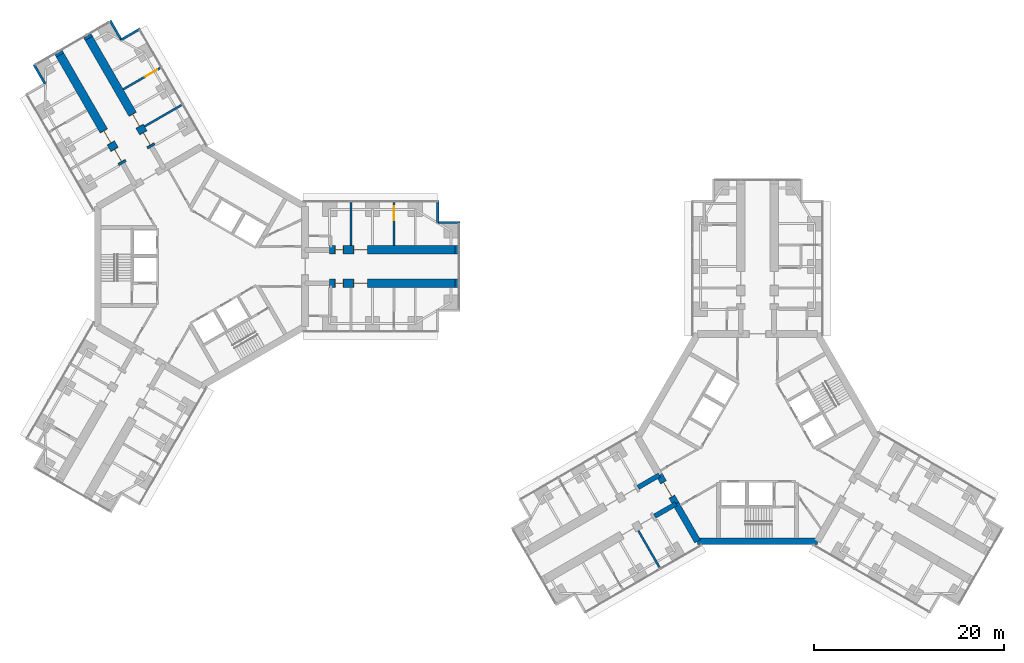
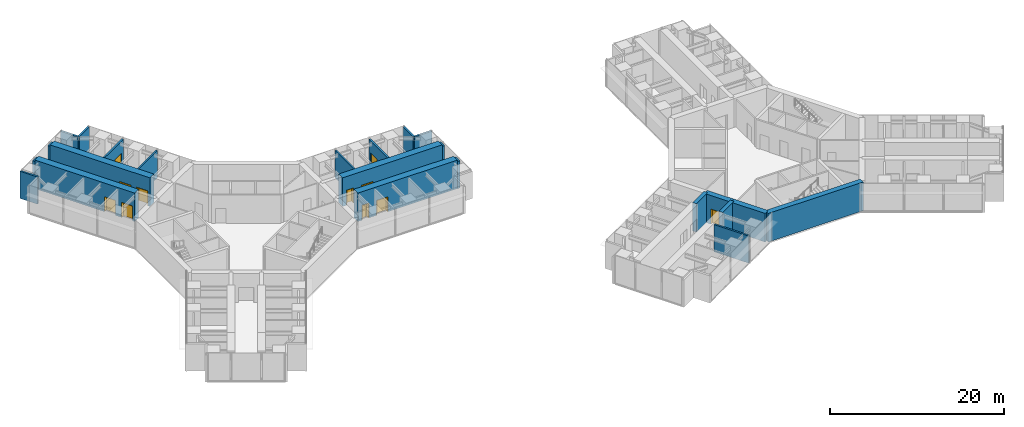
# One storey, part 18 of 22: 23 walls, 11 doors, 11 openings.
"""IFC4 building model written with IfcOpenShell, lengths in metres."""

from ifc_helpers import new_model, si_unit, direction, frame, frame_2d, origin, place, context, subcontext, project, spatial, rectangle, extrude, material, layer, layer_set, type_object, element, fill, save


model = new_model("IFC4")

# Units and contexts
model_context = context("Model", 3, precision=1e-05, world=origin(), true_north=direction((0.0, 1.0)))
body_context = subcontext(model_context, "Body", "Model", "MODEL_VIEW")
ifc_project = project(units=[si_unit("LENGTHUNIT", "METRE"), si_unit("AREAUNIT", "SQUARE_METRE"), si_unit("VOLUMEUNIT", "CUBIC_METRE"), si_unit("PLANEANGLEUNIT", "RADIAN"), si_unit("MASSUNIT", "GRAM", prefix="KILO")], contexts=[model_context])

# Site, building, storey
site_placement = place(None, origin())
site = spatial("IfcSite", under=ifc_project, at=site_placement, CompositionType="ELEMENT")
building_placement = place(site_placement, origin())
building = spatial("IfcBuilding", under=site, at=building_placement, Name="Upepo Twin Towers", CompositionType="ELEMENT")
storey_placement = place(building_placement, frame((0.0, 0.0, 36.5)))
storey = spatial("IfcBuildingStorey", under=building, at=storey_placement, Name="L08", CompositionType="ELEMENT", Elevation=36.5)

# Wall
ifc_material_1 = material(Name="Concrete blockwork, plastered both faces", Category="masonry")
ifc_layer_1 = layer(ifc_material_1, 0.215087890625)
ifc_layer_set_1 = layer_set([ifc_layer_1], Name="Blockwork partition 215")
wall_type_1 = type_object("IfcWallType", Name="Blockwork partition 215", PredefinedType="PARTITIONING", material=ifc_layer_set_1)
wall_1_placement = place(storey_placement, frame((15.75, 2.199951171875, 0.0), z_axis=(0.0, 0.0, 1.0), x_axis=(0.0, 1.0, 0.0)))
element("IfcWall", 1, at=wall_1_placement, inside=storey, type_object=wall_type_1, Name="T1 partition AL at 15.75", PredefinedType="PARTITIONING", context=body_context, shape_type="SweptSolid", body=[
    extrude(rectangle(XDim=4.550048828125, YDim=0.215087890625, at=frame_2d((2.27490234375, 0.0))), origin(), (0.0, 0.0, 1.0), 3.800048828125),
])

# Wall, opening, door
wall_2_placement = place(storey_placement, frame((20.25, 2.199951171875, 0.0), z_axis=(0.0, 0.0, 1.0), x_axis=(0.0, 1.0, 0.0)))
wall_2 = element("IfcWall", 2, at=wall_2_placement, inside=storey, type_object=wall_type_1, Name="T1 partition AL at 20.25", PredefinedType="PARTITIONING", context=body_context, shape_type="SweptSolid", body=[
    extrude(rectangle(XDim=4.550048828125, YDim=0.215087890625, at=frame_2d((2.27490234375, 0.0))), origin(), (0.0, 0.0, 1.0), 3.800048828125),
])
opening_1_placement = place(wall_2_placement, frame((2.64990234375, 0.0, 0.0)))
opening_1 = element("IfcOpeningElement", 3, at=opening_1_placement, cuts=wall_2, Name="Opening D13", PredefinedType="OPENING", context=body_context, shape_type="SweptSolid", body=[
    extrude(rectangle(XDim=1.5, YDim=2.10009765625, at=frame_2d((0.75, 1.050048828125))), frame((0.0, 0.117431640625, 0.0), z_axis=(0.0, -1.0, 0.0), x_axis=(1.0, 0.0, 0.0)), (0.0, 0.0, 1.0), 0.235107421875),
])
ifc_material_2 = material(Name="Timber doorset", Category="wood")
door_type_1 = type_object("IfcDoorType", Name="Double door 1500 FD30", OperationType="DOUBLE_DOOR_SINGLE_SWING", PredefinedType="DOOR", material=ifc_material_2)
door_1_placement = place(opening_1_placement, origin())
door_1 = element("IfcDoor", 4, at=door_1_placement, inside=storey, type_object=door_type_1, Name="T1 L08 connecting door", OperationType="DOUBLE_DOOR_SINGLE_SWING", OverallHeight=2.10009765625, OverallWidth=1.5, PredefinedType="DOOR", context=body_context, shape_type="SweptSolid", body=[
    extrude(rectangle(XDim=1.5, YDim=2.10009765625, at=frame_2d((0.75, 1.050048828125))), frame((0.0, 0.02490234375, 0.0), z_axis=(0.0, -1.0, 0.0), x_axis=(1.0, 0.0, 0.0)), (0.0, 0.0, 1.0), 0.050048828125),
])
fill(opening_1, door_1)

# Wall
wall_3_placement = place(storey_placement, frame((-5.9697265625, 14.739990234375, 0.0), z_axis=(0.0, 0.0, 1.0), x_axis=(0.866035472144, 0.499982560684, 0.0)))
element("IfcWall", 5, at=wall_3_placement, inside=storey, type_object=wall_type_1, Name="T1 partition BR at 15.75", PredefinedType="PARTITIONING", context=body_context, shape_type="SweptSolid", body=[
    extrude(rectangle(XDim=4.550048828125, YDim=0.215087890625, at=frame_2d((2.27490234375, 0.0))), origin(), (0.0, 0.0, 1.0), 3.800048828125),
])

# Wall, opening, door
wall_4_placement = place(storey_placement, frame((-8.2197265625, 18.636962890625, 0.0), z_axis=(0.0, 0.0, 1.0), x_axis=(0.866012237902, 0.500022803284, 0.0)))
wall_4 = element("IfcWall", 6, at=wall_4_placement, inside=storey, type_object=wall_type_1, Name="T1 partition BR at 20.25", PredefinedType="PARTITIONING", context=body_context, shape_type="SweptSolid", body=[
    extrude(rectangle(XDim=4.550048828125, YDim=0.215087890625, at=frame_2d((2.27490234375, 0.0))), origin(), (0.0, 0.0, 1.0), 3.800048828125),
])
opening_2_placement = place(wall_4_placement, frame((2.64990234375, 0.0, 0.0)))
opening_2 = element("IfcOpeningElement", 7, at=opening_2_placement, cuts=wall_4, Name="Opening D13", PredefinedType="OPENING", context=body_context, shape_type="SweptSolid", body=[
    extrude(rectangle(XDim=1.5, YDim=2.10009765625, at=frame_2d((0.75, 1.050048828125))), frame((0.0, 0.117431640625, 0.0), z_axis=(0.0, -1.0, 0.0), x_axis=(1.0, 0.0, 0.0)), (0.0, 0.0, 1.0), 0.235107421875),
])
door_2_placement = place(opening_2_placement, origin())
door_2 = element("IfcDoor", 8, at=door_2_placement, inside=storey, type_object=door_type_1, Name="T1 L08 connecting door", OperationType="DOUBLE_DOOR_SINGLE_SWING", OverallHeight=2.10009765625, OverallWidth=1.5, PredefinedType="DOOR", context=body_context, shape_type="SweptSolid", body=[
    extrude(rectangle(XDim=1.5, YDim=2.10009765625, at=frame_2d((0.75, 1.050048828125))), frame((0.0, 0.02490234375, 0.0), z_axis=(0.0, -1.0, 0.0), x_axis=(1.0, 0.0, 0.0)), (0.0, 0.0, 1.0), 0.050048828125),
])
fill(opening_2, door_2)

# Walls
wall_5_placement = place(storey_placement, frame((45.960205078125, -27.7802734375, 0.0), z_axis=(0.0, 0.0, 1.0), x_axis=(0.499982560684, -0.866035472144, 0.0)))
element("IfcWall", 9, at=wall_5_placement, inside=storey, type_object=wall_type_1, Name="T2 partition BL at 15.75", PredefinedType="PARTITIONING", context=body_context, shape_type="SweptSolid", body=[
    extrude(rectangle(XDim=4.550048828125, YDim=0.215087890625, at=frame_2d((2.27490234375, 0.0))), origin(), (0.0, 0.0, 1.0), 3.800048828125),
])
ifc_material_3 = material(Name="Dense concrete blockwork", Category="masonry")
ifc_layer_2 = layer(ifc_material_3, 0.89990234375)
ifc_layer_set_2 = layer_set([ifc_layer_2], Name="Buttress closer 900, blockwork with fire-stopping to the curtain wall")
wall_type_2 = type_object("IfcWallType", Name="Buttress closer 900, blockwork with fire-stopping to the curtain wall", PredefinedType="PARTITIONING", material=ifc_layer_set_2)
for number, where, z_axis, x_axis, name in (
    (10, (26.699951171875, 1.75, 0.0), (0.0, 0.0, 1.0), (1.0, 0.0, 0.0), "T1 L08 wing A buttress closer L"),
    (11, (26.699951171875, -1.75, 0.0), (0.0, 0.0, 1.0), (1.0, 0.0, 0.0), "T1 L08 wing A buttress closer R"),
    (12, (-14.865478515625, 22.247802734375, 0.0), (0.0, 0.0, 1.0), (-0.499949632511, 0.866054481515, 0.0), "T1 L08 wing B buttress closer L"),
    (13, (-11.83447265625, 23.997802734375, 0.0), (0.0, 0.0, 1.0), (-0.499949632511, 0.866054481515, 0.0), "T1 L08 wing B buttress closer R"),
):
    element("IfcWall", number, at=place(storey_placement, frame(where, z_axis=z_axis, x_axis=x_axis)), inside=storey, type_object=wall_type_2, Name=name, PredefinedType="PARTITIONING", context=body_context, shape_type="SweptSolid", body=[
        extrude(rectangle(XDim=0.31005859375, YDim=0.89990234375, at=frame_2d((0.155029296875, 0.0))), origin(), (0.0, 0.0, 1.0), 3.800048828125),
    ])
ifc_material_4 = material(Name="Concrete C60/75", Category="concrete")
ifc_layer_3 = layer(ifc_material_4, 0.5)
ifc_layer_set_3 = layer_set([ifc_layer_3], Name="Concrete C60/75")
wall_type_3 = type_object("IfcWallType", Name="Buttress wall 500 RC", PredefinedType="SHEAR", material=ifc_layer_set_3)
for number, where, z_axis, x_axis, name in (
    (14, (49.92822265625, -24.9697265625, 0.0), (0.0, 0.0, 1.0), (-0.866031863473, -0.499988811324, 0.0), "T2 wing B buttress wall L"),
    (15, (48.17822265625, -21.938720703125, 0.0), (0.0, 0.0, 1.0), (-0.866072649678, -0.499918158782, 0.0), "T2 wing B buttress wall R"),
):
    element("IfcWall", number, at=place(storey_placement, frame(where, z_axis=z_axis, x_axis=x_axis)), inside=storey, type_object=wall_type_3, Name=name, PredefinedType="SHEAR", context=body_context, shape_type="SweptSolid", body=[
        extrude(rectangle(XDim=2.591796875, YDim=0.5, at=frame_2d((1.2958984375, 0.0))), origin(), (0.0, 0.0, 1.0), 4.0),
    ])

# Wall, openings, doors
ifc_material_5 = material(Name="Concrete C60/75", Category="concrete")
ifc_layer_4 = layer(ifc_material_5, 0.89990234375)
ifc_layer_set_4 = layer_set([ifc_layer_4], Name="Concrete C60/75")
wall_type_4 = type_object("IfcWallType", Name="Buttress wall 900 RC", PredefinedType="SHEAR", material=ifc_layer_set_4)
wall_6_placement = place(storey_placement, frame((13.5, 1.75, 0.0), z_axis=(0.0, 0.0, 1.0), x_axis=(1.0, 0.0, 0.0)))
wall_6 = element("IfcWall", 16, at=wall_6_placement, inside=storey, type_object=wall_type_4, Name="T1 wing A buttress wall L part 2", PredefinedType="SHEAR", context=body_context, shape_type="SweptSolid", body=[
    extrude(rectangle(XDim=13.199951171875, YDim=0.89990234375, at=frame_2d((6.60009765625, 0.0))), origin(), (0.0, 0.0, 1.0), 4.0),
])
opening_3_placement = place(wall_6_placement, frame((0.550048828125, 0.0, 0.0)))
opening_3 = element("IfcOpeningElement", 17, at=opening_3_placement, cuts=wall_6, Name="Opening D11", PredefinedType="OPENING", context=body_context, shape_type="SweptSolid", body=[
    extrude(rectangle(XDim=0.89990234375, YDim=2.10009765625, at=frame_2d((0.449951171875, 1.050048828125))), frame((0.0, 0.4599609375, 0.0), z_axis=(0.0, -1.0, 0.0), x_axis=(1.0, 0.0, 0.0)), (0.0, 0.0, 1.0), 0.919921875),
])
opening_4_placement = place(wall_6_placement, frame((2.5, 0.0, 0.0)))
opening_4 = element("IfcOpeningElement", 18, at=opening_4_placement, cuts=wall_6, Name="Opening D13", PredefinedType="OPENING", context=body_context, shape_type="SweptSolid", body=[
    extrude(rectangle(XDim=1.5, YDim=2.10009765625, at=frame_2d((0.75, 1.050048828125))), frame((0.0, 0.4599609375, 0.0), z_axis=(0.0, -1.0, 0.0), x_axis=(1.0, 0.0, 0.0)), (0.0, 0.0, 1.0), 0.919921875),
])
door_3_placement = place(opening_4_placement, origin())
door_3 = element("IfcDoor", 19, at=door_3_placement, inside=storey, type_object=door_type_1, Name="T1 L08 instrument room door", OperationType="DOUBLE_DOOR_SINGLE_SWING", OverallHeight=2.10009765625, OverallWidth=1.5, PredefinedType="DOOR", context=body_context, shape_type="SweptSolid", body=[
    extrude(rectangle(XDim=1.42, YDim=2.06009765625, at=frame_2d((0.75, 1.030029296875))), frame((0.0, 0.02490234375, 0.0), z_axis=(0.0, -1.0, 0.0), x_axis=(1.0, 0.0, 0.0)), (0.0, 0.0, 1.0), 0.050048828125),
    extrude(rectangle(XDim=0.04, YDim=2.10009765625, at=frame_2d((0.02001953125, 1.050048828125))), frame((0.0, 0.44970703125, 0.0), z_axis=(0.0, -1.0, 0.0), x_axis=(1.0, 0.0, 0.0)), (0.0, 0.0, 1.0), 0.8994140625),
    extrude(rectangle(XDim=0.04, YDim=2.10009765625, at=frame_2d((1.47998046875, 1.050048828125))), frame((0.0, 0.44970703125, 0.0), z_axis=(0.0, -1.0, 0.0), x_axis=(1.0, 0.0, 0.0)), (0.0, 0.0, 1.0), 0.8994140625),
    extrude(rectangle(XDim=1.42, YDim=0.04, at=frame_2d((0.75, 2.080078125))), frame((0.0, 0.44970703125, 0.0), z_axis=(0.0, -1.0, 0.0), x_axis=(1.0, 0.0, 0.0)), (0.0, 0.0, 1.0), 0.8994140625),
])
fill(opening_4, door_3)
ifc_material_6 = material(Name="Timber doorset", Category="wood")
door_type_2 = type_object("IfcDoorType", Name="Toilet door 900", OperationType="SINGLE_SWING_LEFT", PredefinedType="DOOR", material=ifc_material_6)
door_4_placement = place(opening_3_placement, origin())
door_4 = element("IfcDoor", 20, at=door_4_placement, inside=storey, type_object=door_type_2, Name="T1 L08 toilets door", OperationType="SINGLE_SWING_LEFT", OverallHeight=2.10009765625, OverallWidth=0.89990234375, PredefinedType="DOOR", context=body_context, shape_type="SweptSolid", body=[
    extrude(rectangle(XDim=0.81990234375, YDim=2.06009765625, at=frame_2d((0.449951171875, 1.030029296875))), frame((0.0, 0.02490234375, 0.0), z_axis=(0.0, -1.0, 0.0), x_axis=(1.0, 0.0, 0.0)), (0.0, 0.0, 1.0), 0.050048828125),
    extrude(rectangle(XDim=0.04, YDim=2.10009765625, at=frame_2d((0.02001953125, 1.050048828125))), frame((0.0, 0.44970703125, 0.0), z_axis=(0.0, -1.0, 0.0), x_axis=(1.0, 0.0, 0.0)), (0.0, 0.0, 1.0), 0.8994140625),
    extrude(rectangle(XDim=0.04, YDim=2.10009765625, at=frame_2d((0.8798828125, 1.050048828125))), frame((0.0, 0.44970703125, 0.0), z_axis=(0.0, -1.0, 0.0), x_axis=(1.0, 0.0, 0.0)), (0.0, 0.0, 1.0), 0.8994140625),
    extrude(rectangle(XDim=0.81990234375, YDim=0.04, at=frame_2d((0.449951171875, 2.080078125))), frame((0.0, 0.44970703125, 0.0), z_axis=(0.0, -1.0, 0.0), x_axis=(1.0, 0.0, 0.0)), (0.0, 0.0, 1.0), 0.8994140625),
])
fill(opening_3, door_4)

wall_7_placement = place(storey_placement, frame((13.5, -1.75, 0.0), z_axis=(0.0, 0.0, 1.0), x_axis=(1.0, 0.0, 0.0)))
wall_7 = element("IfcWall", 21, at=wall_7_placement, inside=storey, type_object=wall_type_4, Name="T1 wing A buttress wall R part 2", PredefinedType="SHEAR", context=body_context, shape_type="SweptSolid", body=[
    extrude(rectangle(XDim=13.199951171875, YDim=0.89990234375, at=frame_2d((6.60009765625, 0.0))), origin(), (0.0, 0.0, 1.0), 4.0),
])
opening_5_placement = place(wall_7_placement, frame((0.550048828125, 0.0, 0.0)))
opening_5 = element("IfcOpeningElement", 22, at=opening_5_placement, cuts=wall_7, Name="Opening D11", PredefinedType="OPENING", context=body_context, shape_type="SweptSolid", body=[
    extrude(rectangle(XDim=0.89990234375, YDim=2.10009765625, at=frame_2d((0.449951171875, 1.050048828125))), frame((0.0, 0.4599609375, 0.0), z_axis=(0.0, -1.0, 0.0), x_axis=(1.0, 0.0, 0.0)), (0.0, 0.0, 1.0), 0.919921875),
])
opening_6_placement = place(wall_7_placement, frame((2.5, 0.0, 0.0)))
opening_6 = element("IfcOpeningElement", 23, at=opening_6_placement, cuts=wall_7, Name="Opening D13", PredefinedType="OPENING", context=body_context, shape_type="SweptSolid", body=[
    extrude(rectangle(XDim=1.5, YDim=2.10009765625, at=frame_2d((0.75, 1.050048828125))), frame((0.0, 0.4599609375, 0.0), z_axis=(0.0, -1.0, 0.0), x_axis=(1.0, 0.0, 0.0)), (0.0, 0.0, 1.0), 0.919921875),
])
door_5_placement = place(opening_6_placement, origin())
door_5 = element("IfcDoor", 24, at=door_5_placement, inside=storey, type_object=door_type_1, Name="T1 L08 laboratory prep room door", OperationType="DOUBLE_DOOR_SINGLE_SWING", OverallHeight=2.10009765625, OverallWidth=1.5, PredefinedType="DOOR", context=body_context, shape_type="SweptSolid", body=[
    extrude(rectangle(XDim=1.42, YDim=2.06009765625, at=frame_2d((0.75, 1.030029296875))), frame((0.0, 0.02490234375, 0.0), z_axis=(0.0, -1.0, 0.0), x_axis=(1.0, 0.0, 0.0)), (0.0, 0.0, 1.0), 0.050048828125),
    extrude(rectangle(XDim=0.04, YDim=2.10009765625, at=frame_2d((0.02001953125, 1.050048828125))), frame((0.0, 0.44970703125, 0.0), z_axis=(0.0, -1.0, 0.0), x_axis=(1.0, 0.0, 0.0)), (0.0, 0.0, 1.0), 0.8994140625),
    extrude(rectangle(XDim=0.04, YDim=2.10009765625, at=frame_2d((1.47998046875, 1.050048828125))), frame((0.0, 0.44970703125, 0.0), z_axis=(0.0, -1.0, 0.0), x_axis=(1.0, 0.0, 0.0)), (0.0, 0.0, 1.0), 0.8994140625),
    extrude(rectangle(XDim=1.42, YDim=0.04, at=frame_2d((0.75, 2.080078125))), frame((0.0, 0.44970703125, 0.0), z_axis=(0.0, -1.0, 0.0), x_axis=(1.0, 0.0, 0.0)), (0.0, 0.0, 1.0), 0.8994140625),
])
fill(opening_6, door_5)
door_6_placement = place(opening_5_placement, origin())
door_6 = element("IfcDoor", 25, at=door_6_placement, inside=storey, type_object=door_type_2, Name="T1 L08 accessible wc door", OperationType="SINGLE_SWING_LEFT", OverallHeight=2.10009765625, OverallWidth=0.89990234375, PredefinedType="DOOR", context=body_context, shape_type="SweptSolid", body=[
    extrude(rectangle(XDim=0.81990234375, YDim=2.06009765625, at=frame_2d((0.449951171875, 1.030029296875))), frame((0.0, 0.02490234375, 0.0), z_axis=(0.0, -1.0, 0.0), x_axis=(1.0, 0.0, 0.0)), (0.0, 0.0, 1.0), 0.050048828125),
    extrude(rectangle(XDim=0.04, YDim=2.10009765625, at=frame_2d((0.02001953125, 1.050048828125))), frame((0.0, 0.44970703125, 0.0), z_axis=(0.0, -1.0, 0.0), x_axis=(1.0, 0.0, 0.0)), (0.0, 0.0, 1.0), 0.8994140625),
    extrude(rectangle(XDim=0.04, YDim=2.10009765625, at=frame_2d((0.8798828125, 1.050048828125))), frame((0.0, 0.44970703125, 0.0), z_axis=(0.0, -1.0, 0.0), x_axis=(1.0, 0.0, 0.0)), (0.0, 0.0, 1.0), 0.8994140625),
    extrude(rectangle(XDim=0.81990234375, YDim=0.04, at=frame_2d((0.449951171875, 2.080078125))), frame((0.0, 0.44970703125, 0.0), z_axis=(0.0, -1.0, 0.0), x_axis=(1.0, 0.0, 0.0)), (0.0, 0.0, 1.0), 0.8994140625),
])
fill(opening_5, door_6)

wall_8_placement = place(storey_placement, frame((-8.265625, 10.81640625, 0.0), z_axis=(0.0, 0.0, 1.0), x_axis=(-0.499996231654, 0.866027579429, 0.0)))
wall_8 = element("IfcWall", 26, at=wall_8_placement, inside=storey, type_object=wall_type_4, Name="T1 wing B buttress wall L part 2", PredefinedType="SHEAR", context=body_context, shape_type="SweptSolid", body=[
    extrude(rectangle(XDim=13.19970703125, YDim=0.89990234375, at=frame_2d((6.599853515625, 0.0))), origin(), (0.0, 0.0, 1.0), 4.0),
])
opening_7_placement = place(wall_8_placement, frame((0.25, 0.0, 0.0)))
opening_7 = element("IfcOpeningElement", 27, at=opening_7_placement, cuts=wall_8, Name="Opening D13", PredefinedType="OPENING", context=body_context, shape_type="SweptSolid", body=[
    extrude(rectangle(XDim=1.5, YDim=2.10009765625, at=frame_2d((0.75, 1.050048828125))), frame((0.0, 0.4599609375, 0.0), z_axis=(0.0, -1.0, 0.0), x_axis=(1.0, 0.0, 0.0)), (0.0, 0.0, 1.0), 0.919921875),
])
opening_8_placement = place(wall_8_placement, frame((2.5, 0.0, 0.0)))
opening_8 = element("IfcOpeningElement", 28, at=opening_8_placement, cuts=wall_8, Name="Opening D13", PredefinedType="OPENING", context=body_context, shape_type="SweptSolid", body=[
    extrude(rectangle(XDim=1.5, YDim=2.10009765625, at=frame_2d((0.75, 1.050048828125))), frame((0.0, 0.4599609375, 0.0), z_axis=(0.0, -1.0, 0.0), x_axis=(1.0, 0.0, 0.0)), (0.0, 0.0, 1.0), 0.919921875),
])
door_7_placement = place(opening_7_placement, origin())
door_7 = element("IfcDoor", 29, at=door_7_placement, inside=storey, type_object=door_type_1, Name="T1 L08 instrument room door", OperationType="DOUBLE_DOOR_SINGLE_SWING", OverallHeight=2.10009765625, OverallWidth=1.5, PredefinedType="DOOR", context=body_context, shape_type="SweptSolid", body=[
    extrude(rectangle(XDim=1.42, YDim=2.06009765625, at=frame_2d((0.75, 1.030029296875))), frame((0.0, 0.02490234375, 0.0), z_axis=(0.0, -1.0, 0.0), x_axis=(1.0, 0.0, 0.0)), (0.0, 0.0, 1.0), 0.050048828125),
    extrude(rectangle(XDim=0.04, YDim=2.10009765625, at=frame_2d((0.02001953125, 1.050048828125))), frame((0.0, 0.44970703125, 0.0), z_axis=(0.0, -1.0, 0.0), x_axis=(1.0, 0.0, 0.0)), (0.0, 0.0, 1.0), 0.8994140625),
    extrude(rectangle(XDim=0.04, YDim=2.10009765625, at=frame_2d((1.47998046875, 1.050048828125))), frame((0.0, 0.44970703125, 0.0), z_axis=(0.0, -1.0, 0.0), x_axis=(1.0, 0.0, 0.0)), (0.0, 0.0, 1.0), 0.8994140625),
    extrude(rectangle(XDim=1.42, YDim=0.04, at=frame_2d((0.75, 2.080078125))), frame((0.0, 0.44970703125, 0.0), z_axis=(0.0, -1.0, 0.0), x_axis=(1.0, 0.0, 0.0)), (0.0, 0.0, 1.0), 0.8994140625),
])
fill(opening_7, door_7)
door_8_placement = place(opening_8_placement, origin())
door_8 = element("IfcDoor", 30, at=door_8_placement, inside=storey, type_object=door_type_1, Name="T1 L08 write-up room door", OperationType="DOUBLE_DOOR_SINGLE_SWING", OverallHeight=2.10009765625, OverallWidth=1.5, PredefinedType="DOOR", context=body_context, shape_type="SweptSolid", body=[
    extrude(rectangle(XDim=1.42, YDim=2.06009765625, at=frame_2d((0.75, 1.030029296875))), frame((0.0, 0.02490234375, 0.0), z_axis=(0.0, -1.0, 0.0), x_axis=(1.0, 0.0, 0.0)), (0.0, 0.0, 1.0), 0.050048828125),
    extrude(rectangle(XDim=0.04, YDim=2.10009765625, at=frame_2d((0.02001953125, 1.050048828125))), frame((0.0, 0.44970703125, 0.0), z_axis=(0.0, -1.0, 0.0), x_axis=(1.0, 0.0, 0.0)), (0.0, 0.0, 1.0), 0.8994140625),
    extrude(rectangle(XDim=0.04, YDim=2.10009765625, at=frame_2d((1.47998046875, 1.050048828125))), frame((0.0, 0.44970703125, 0.0), z_axis=(0.0, -1.0, 0.0), x_axis=(1.0, 0.0, 0.0)), (0.0, 0.0, 1.0), 0.8994140625),
    extrude(rectangle(XDim=1.42, YDim=0.04, at=frame_2d((0.75, 2.080078125))), frame((0.0, 0.44970703125, 0.0), z_axis=(0.0, -1.0, 0.0), x_axis=(1.0, 0.0, 0.0)), (0.0, 0.0, 1.0), 0.8994140625),
])
fill(opening_8, door_8)

wall_9_placement = place(storey_placement, frame((-5.234375, 12.56640625, 0.0), z_axis=(0.0, 0.0, 1.0), x_axis=(-0.500010103361, 0.866019570528, 0.0)))
wall_9 = element("IfcWall", 31, at=wall_9_placement, inside=storey, type_object=wall_type_4, Name="T1 wing B buttress wall R part 2", PredefinedType="SHEAR", context=body_context, shape_type="SweptSolid", body=[
    extrude(rectangle(XDim=13.199951171875, YDim=0.89990234375, at=frame_2d((6.60009765625, 0.0))), origin(), (0.0, 0.0, 1.0), 4.0),
])
opening_9_placement = place(wall_9_placement, frame((0.25, 0.0, 0.0)))
opening_9 = element("IfcOpeningElement", 32, at=opening_9_placement, cuts=wall_9, Name="Opening D13", PredefinedType="OPENING", context=body_context, shape_type="SweptSolid", body=[
    extrude(rectangle(XDim=1.5, YDim=2.10009765625, at=frame_2d((0.75, 1.050048828125))), frame((0.0, 0.4599609375, 0.0), z_axis=(0.0, -1.0, 0.0), x_axis=(1.0, 0.0, 0.0)), (0.0, 0.0, 1.0), 0.919921875),
])
opening_10_placement = place(wall_9_placement, frame((2.5, 0.0, 0.0)))
opening_10 = element("IfcOpeningElement", 33, at=opening_10_placement, cuts=wall_9, Name="Opening D13", PredefinedType="OPENING", context=body_context, shape_type="SweptSolid", body=[
    extrude(rectangle(XDim=1.5, YDim=2.10009765625, at=frame_2d((0.75, 1.050048828125))), frame((0.0, 0.4599609375, 0.0), z_axis=(0.0, -1.0, 0.0), x_axis=(1.0, 0.0, 0.0)), (0.0, 0.0, 1.0), 0.919921875),
])
door_9_placement = place(opening_9_placement, origin())
door_9 = element("IfcDoor", 34, at=door_9_placement, inside=storey, type_object=door_type_1, Name="T1 L08 research laboratory door", OperationType="DOUBLE_DOOR_SINGLE_SWING", OverallHeight=2.10009765625, OverallWidth=1.5, PredefinedType="DOOR", context=body_context, shape_type="SweptSolid", body=[
    extrude(rectangle(XDim=1.42, YDim=2.06009765625, at=frame_2d((0.75, 1.030029296875))), frame((0.0, 0.02490234375, 0.0), z_axis=(0.0, -1.0, 0.0), x_axis=(1.0, 0.0, 0.0)), (0.0, 0.0, 1.0), 0.050048828125),
    extrude(rectangle(XDim=0.04, YDim=2.10009765625, at=frame_2d((0.02001953125, 1.050048828125))), frame((0.0, 0.44970703125, 0.0), z_axis=(0.0, -1.0, 0.0), x_axis=(1.0, 0.0, 0.0)), (0.0, 0.0, 1.0), 0.8994140625),
    extrude(rectangle(XDim=0.04, YDim=2.10009765625, at=frame_2d((1.47998046875, 1.050048828125))), frame((0.0, 0.44970703125, 0.0), z_axis=(0.0, -1.0, 0.0), x_axis=(1.0, 0.0, 0.0)), (0.0, 0.0, 1.0), 0.8994140625),
    extrude(rectangle(XDim=1.42, YDim=0.04, at=frame_2d((0.75, 2.080078125))), frame((0.0, 0.44970703125, 0.0), z_axis=(0.0, -1.0, 0.0), x_axis=(1.0, 0.0, 0.0)), (0.0, 0.0, 1.0), 0.8994140625),
])
fill(opening_9, door_9)
door_10_placement = place(opening_10_placement, origin())
door_10 = element("IfcDoor", 35, at=door_10_placement, inside=storey, type_object=door_type_1, Name="T1 L08 instrument room door", OperationType="DOUBLE_DOOR_SINGLE_SWING", OverallHeight=2.10009765625, OverallWidth=1.5, PredefinedType="DOOR", context=body_context, shape_type="SweptSolid", body=[
    extrude(rectangle(XDim=1.42, YDim=2.06009765625, at=frame_2d((0.75, 1.030029296875))), frame((0.0, 0.02490234375, 0.0), z_axis=(0.0, -1.0, 0.0), x_axis=(1.0, 0.0, 0.0)), (0.0, 0.0, 1.0), 0.050048828125),
    extrude(rectangle(XDim=0.04, YDim=2.10009765625, at=frame_2d((0.02001953125, 1.050048828125))), frame((0.0, 0.44970703125, 0.0), z_axis=(0.0, -1.0, 0.0), x_axis=(1.0, 0.0, 0.0)), (0.0, 0.0, 1.0), 0.8994140625),
    extrude(rectangle(XDim=0.04, YDim=2.10009765625, at=frame_2d((1.47998046875, 1.050048828125))), frame((0.0, 0.44970703125, 0.0), z_axis=(0.0, -1.0, 0.0), x_axis=(1.0, 0.0, 0.0)), (0.0, 0.0, 1.0), 0.8994140625),
    extrude(rectangle(XDim=1.42, YDim=0.04, at=frame_2d((0.75, 2.080078125))), frame((0.0, 0.44970703125, 0.0), z_axis=(0.0, -1.0, 0.0), x_axis=(1.0, 0.0, 0.0)), (0.0, 0.0, 1.0), 0.8994140625),
])
fill(opening_10, door_10)

# Wall, opening, door
ifc_material_7 = material(Name="Concrete C60/75", Category="concrete")
ifc_layer_5 = layer(ifc_material_7, 0.699951171875)
ifc_layer_set_5 = layer_set([ifc_layer_5], Name="Concrete C60/75")
wall_type_5 = type_object("IfcWallType", Name="Core wall 700 RC", PredefinedType="SHEAR", material=ifc_layer_set_5)
wall_10_placement = place(storey_placement, frame((48.17822265625, -21.938720703125, 0.0), z_axis=(0.0, 0.0, 1.0), x_axis=(0.500010275428, -0.866019471182, 0.0)))
wall_10 = element("IfcWall", 36, at=wall_10_placement, inside=storey, type_object=wall_type_5, Name="T2 core wall 120", PredefinedType="SHEAR", context=body_context, shape_type="SweptSolid", body=[
    extrude(rectangle(XDim=3.5, YDim=0.699951171875, at=frame_2d((1.75, 0.0))), origin(), (0.0, 0.0, 1.0), 4.0),
])
opening_11_placement = place(wall_10_placement, frame((0.85009765625, 0.0, 0.0)))
opening_11 = element("IfcOpeningElement", 37, at=opening_11_placement, cuts=wall_10, Name="Opening D2", PredefinedType="OPENING", context=body_context, shape_type="SweptSolid", body=[
    extrude(rectangle(XDim=1.800048828125, YDim=2.10009765625, at=frame_2d((0.89990234375, 1.050048828125))), frame((0.0, 0.35986328125, 0.0), z_axis=(0.0, -1.0, 0.0), x_axis=(1.0, 0.0, 0.0)), (0.0, 0.0, 1.0), 0.719970703125),
])
ifc_material_8 = material(Name="Timber doorset", Category="wood")
door_type_3 = type_object("IfcDoorType", Name="Corridor double door 1800 FD60", OperationType="DOUBLE_DOOR_DOUBLE_SWING", PredefinedType="DOOR", material=ifc_material_8)
door_11_placement = place(opening_11_placement, origin())
door_11 = element("IfcDoor", 38, at=door_11_placement, inside=storey, type_object=door_type_3, Name="T2 L08 wing B corridor door", OperationType="DOUBLE_DOOR_DOUBLE_SWING", OverallHeight=2.10009765625, OverallWidth=1.800048828125, PredefinedType="DOOR", context=body_context, shape_type="SweptSolid", body=[
    extrude(rectangle(XDim=1.720048828125, YDim=2.06009765625, at=frame_2d((0.89990234375, 1.030029296875))), frame((0.0, 0.02490234375, 0.0), z_axis=(0.0, -1.0, 0.0), x_axis=(1.0, 0.0, 0.0)), (0.0, 0.0, 1.0), 0.050048828125),
    extrude(rectangle(XDim=0.04, YDim=2.10009765625, at=frame_2d((0.02001953125, 1.050048828125))), frame((0.0, 0.349609375, 0.0), z_axis=(0.0, -1.0, 0.0), x_axis=(1.0, 0.0, 0.0)), (0.0, 0.0, 1.0), 0.699462890625),
    extrude(rectangle(XDim=0.04, YDim=2.10009765625, at=frame_2d((1.780029296875, 1.050048828125))), frame((0.0, 0.349609375, 0.0), z_axis=(0.0, -1.0, 0.0), x_axis=(1.0, 0.0, 0.0)), (0.0, 0.0, 1.0), 0.699462890625),
    extrude(rectangle(XDim=1.720048828125, YDim=0.04, at=frame_2d((0.89990234375, 2.080078125))), frame((0.0, 0.349609375, 0.0), z_axis=(0.0, -1.0, 0.0), x_axis=(1.0, 0.0, 0.0)), (0.0, 0.0, 1.0), 0.699462890625),
])
fill(opening_11, door_11)

# Walls
wall_11_placement = place(storey_placement, frame((49.92822265625, -24.9697265625, 0.0), z_axis=(0.0, 0.0, 1.0), x_axis=(0.499984222037, -0.866034513004, 0.0)))
element("IfcWall", 39, at=wall_11_placement, inside=storey, type_object=wall_type_5, Name="T2 core wall 120 L", PredefinedType="SHEAR", context=body_context, shape_type="SweptSolid", body=[
    extrude(rectangle(XDim=4.548095703125, YDim=0.699951171875, at=frame_2d((2.27392578125, 0.0))), origin(), (0.0, 0.0, 1.0), 4.0),
])
wall_12_placement = place(storey_placement, frame((52.2021484375, -28.908447265625, 0.0), z_axis=(0.0, 0.0, 1.0), x_axis=(1.0, 0.0, 0.0)))
element("IfcWall", 40, at=wall_12_placement, inside=storey, type_object=wall_type_5, Name="T2 core wall 180", PredefinedType="SHEAR", context=body_context, shape_type="SweptSolid", body=[
    extrude(rectangle(XDim=12.595703125, YDim=0.699951171875, at=frame_2d((6.2978515625, 0.0))), origin(), (0.0, 0.0, 1.0), 4.0),
])
ifc_material_9 = material(Name="Blockwork with anodised aluminium cladding", Category="masonry")
ifc_layer_6 = layer(ifc_material_9, 0.25)
ifc_layer_set_6 = layer_set([ifc_layer_6], Name="Notch cladding wall 250, pale metal")
wall_type_6 = type_object("IfcWallType", Name="Notch cladding wall 250, pale metal", PredefinedType="STANDARD", material=ifc_layer_set_6)
for number, where, z_axis, x_axis, name in (
    (41, (24.875, 6.949951171875, 0.0), (0.0, 0.0, 1.0), (0.0, -1.0, 0.0), "T1 L08 wing A notch wall L1"),
    (42, (24.875, 4.625, 0.0), (0.0, 0.0, 1.0), (1.0, 0.0, 0.0), "T1 L08 wing A notch wall L2"),
    (43, (-16.44287109375, 19.22998046875, 0.0), (0.0, 0.0, 1.0), (-0.500046648681, 0.865998469481, 0.0), "T1 L08 wing B notch wall L2"),
    (44, (-6.418701171875, 25.017333984375, 0.0), (0.0, 0.0, 1.0), (-0.866043940782, -0.499967891604, 0.0), "T1 L08 wing B notch wall R1"),
    (45, (-8.43212890625, 23.85498046875, 0.0), (0.0, 0.0, 1.0), (-0.500046648681, 0.865998469481, 0.0), "T1 L08 wing B notch wall R2"),
):
    element("IfcWall", number, at=place(storey_placement, frame(where, z_axis=z_axis, x_axis=x_axis)), inside=storey, type_object=wall_type_6, Name=name, PredefinedType="STANDARD", context=body_context, shape_type="SweptSolid", body=[
        extrude(rectangle(XDim=2.324951171875, YDim=0.25, at=frame_2d((1.16259765625, 0.0))), origin(), (0.0, 0.0, 1.0), 3.800048828125),
    ])

save(model, "model.ifc")
